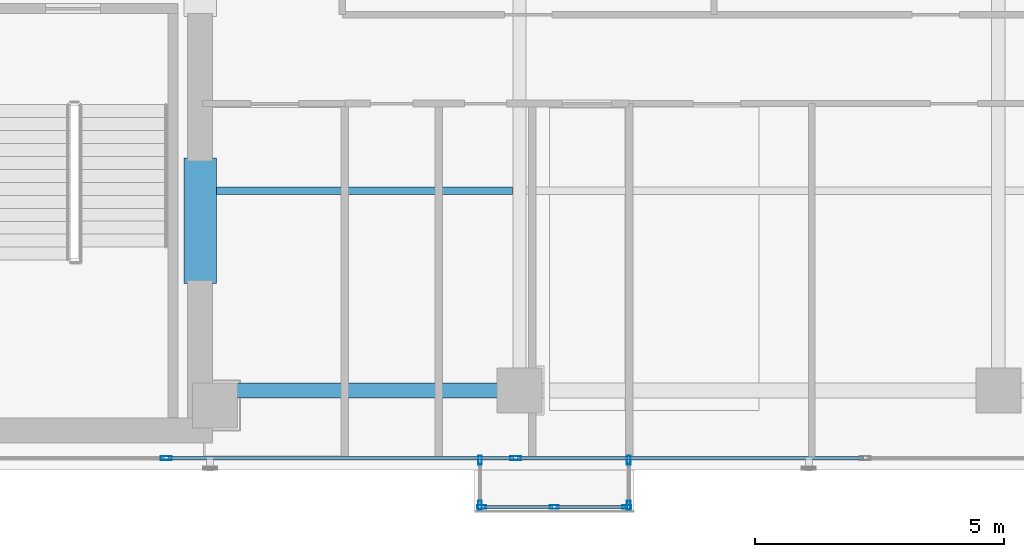
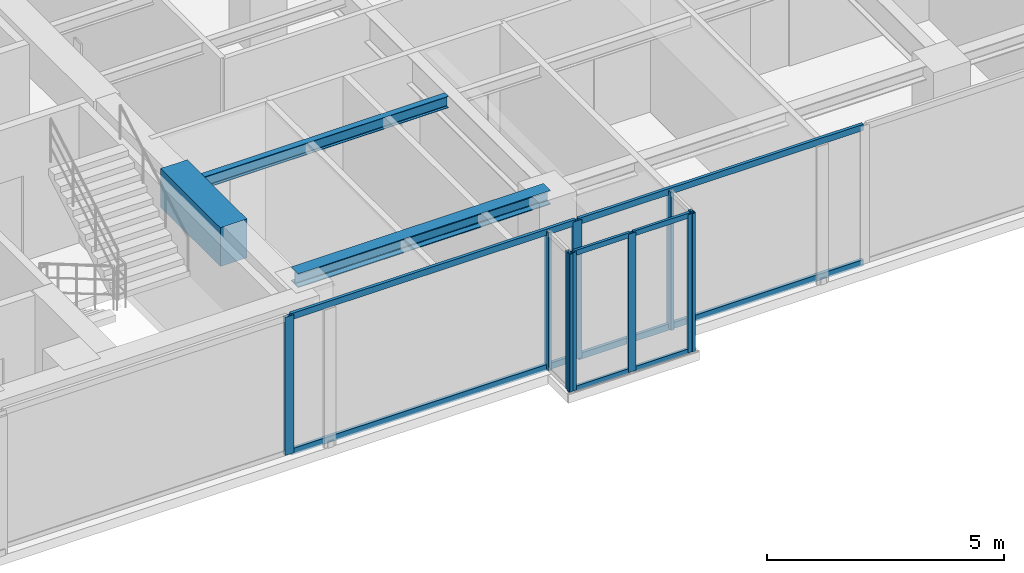
# One storey, part 4 of 22: 17 members, 3 beams, 4 elements without a shape of their own.
"""IFC4 building model written with IfcOpenShell, lengths in metres."""

from ifc_helpers import new_model, si_unit, direction, frame, origin, origin_with_axes, origin_2d, place, context, subcontext, project, spatial, rectangle, hollow_rectangle, i_section, extrude, source, transform, mapped, material, layer, layer_set, material_profile, profile_set, type_object, element, aggregate, save


model = new_model("IFC4")

# Units and contexts
model_context = context("Model", 3, precision=1e-05, world=origin(), true_north=direction((0.0, 1.0)))
body_context = subcontext(model_context, "Body", "Model", "MODEL_VIEW")
ifc_project = project(units=[si_unit("LENGTHUNIT", "METRE"), si_unit("AREAUNIT", "SQUARE_METRE"), si_unit("VOLUMEUNIT", "CUBIC_METRE"), si_unit("PLANEANGLEUNIT", "RADIAN"), si_unit("MASSUNIT", "GRAM", prefix="KILO")], contexts=[model_context])

# Site, building, storey
site_placement = place(None, origin())
site = spatial("IfcSite", under=ifc_project, at=site_placement, CompositionType="ELEMENT")
building_placement = place(site_placement, origin())
building = spatial("IfcBuilding", under=site, at=building_placement, Name="Kolvaren Waterfront Exchange", CompositionType="ELEMENT")
storey_placement = place(building_placement, frame((0.0, 0.0, 278.0)))
storey = spatial("IfcBuildingStorey", under=building, at=storey_placement, Name="L71", CompositionType="ELEMENT", Elevation=278.0)

# Beams
ifc_material_1 = material(Name="Steel S355", Category="steel")
ifc_material_profile_1 = material_profile(ifc_material_1, i_section(OverallWidth=0.300048828125, OverallDepth=0.360107421875, WebThickness=0.012451171875, FlangeThickness=0.0224609375, FilletRadius=0.027099609375, at=origin_2d()), Name="HEB360")
ifc_profile_set_1 = profile_set([ifc_material_profile_1], Name="Steel S355")
beam_type_1 = type_object("IfcBeamType", Name="STR-BM-HEB360", PredefinedType="SPANDREL", material=ifc_profile_set_1)
beam_1_placement = place(storey_placement, frame((21.050048828125, 5.199951171875, 3.3798828125), z_axis=(1.0, 0.0, 0.0), x_axis=(0.0, 1.0, 0.0)))
element("IfcBeam", 1, at=beam_1_placement, inside=storey, type_object=beam_type_1, Name="L71 east-arm spandrel S1", PredefinedType="SPANDREL", context=body_context, shape_type="SweptSolid", body=[
    extrude(i_section(OverallWidth=0.300048828125, OverallDepth=0.360107421875, WebThickness=0.012451171875, FlangeThickness=0.0224609375, FilletRadius=0.027099609375, at=origin_2d()), origin(), (0.0, 0.0, 1.0), 6.14990234375),
])
ifc_material_profile_2 = material_profile(ifc_material_1, i_section(OverallWidth=0.14990234375, OverallDepth=0.300048828125, WebThickness=0.007080078125, FlangeThickness=0.0107421875, FilletRadius=0.014892578125, at=origin_2d()), Name="IPE300")
ifc_profile_set_2 = profile_set([ifc_material_profile_2], Name="Steel S355")
beam_type_2 = type_object("IfcBeamType", Name="STR-BM-IPE300", PredefinedType="JOIST", material=ifc_profile_set_2)
beam_2_placement = place(storey_placement, frame((21.10009765625, 9.199951171875, 3.409912109375), z_axis=(1.0, 0.0, 0.0), x_axis=(0.0, 1.0, 0.0)))
element("IfcBeam", 2, at=beam_2_placement, inside=storey, type_object=beam_type_2, Name="L71 east-arm composite joist 1B", PredefinedType="JOIST", context=body_context, shape_type="SweptSolid", body=[
    extrude(i_section(OverallWidth=0.14990234375, OverallDepth=0.300048828125, WebThickness=0.007080078125, FlangeThickness=0.0107421875, FilletRadius=0.014892578125, at=origin_2d()), origin(), (0.0, 0.0, 1.0), 5.96435546875),
])
ifc_material_2 = material(Name="Concrete C60/75", Category="concrete")
ifc_material_profile_3 = material_profile(ifc_material_2, rectangle(XDim=0.64990234375, YDim=1.0, at=origin_2d()), Name="RC-CB-1000x650")
ifc_profile_set_3 = profile_set([ifc_material_profile_3], Name="Concrete C60/75")
beam_type_3 = type_object("IfcBeamType", Name="STR-CB-1000", PredefinedType="SPANDREL", material=ifc_profile_set_3)
beam_3_placement = place(storey_placement, frame((20.800048828125, 7.340087890625, 3.06005859375), z_axis=(0.0, 1.0, 0.0), x_axis=(-1.0, 0.0, 0.0)))
element("IfcBeam", 3, at=beam_3_placement, inside=storey, type_object=beam_type_3, Name="L71 core coupling beam 1", PredefinedType="SPANDREL", context=body_context, shape_type="SweptSolid", body=[
    extrude(rectangle(XDim=0.64990234375, YDim=1.0, at=origin_2d()), origin(), (0.0, 0.0, 1.0), 2.52001953125),
])

# Curtain wall, members
ifc_material_3 = material(Name="Anodised bronze aluminium 6063-T6", Category="aluminium")
ifc_layer_1 = layer(ifc_material_3, 0.219970703125, Name="Anodised bronze aluminium 6063-T6")
ifc_layer_set_1 = layer_set([ifc_layer_1], Name="Anodised bronze aluminium 6063-T6")
curtain_wall_type_1 = type_object("IfcCurtainWallType", Name="ARC-CW-SYS3", PredefinedType="USERDEFINED", material=ifc_layer_set_1)
curtain_wall_1_placement = place(storey_placement, origin())
curtain_wall_1 = element("IfcCurtainWall", 4, at=curtain_wall_1_placement, inside=storey, type_object=curtain_wall_type_1, Name="L71 stick curtain wall CW3 (CW-L71-BOX)", ObjectType="STICK CURTAIN WALL", PredefinedType="USERDEFINED")
ifc_material_profile_4 = material_profile(ifc_material_3, hollow_rectangle(XDim=0.06494140625, YDim=0.1298828125, WallThickness=0.00390625, at=origin_2d()), Name="ALU-TRN-130x65x4")
ifc_profile_set_4 = profile_set([ifc_material_profile_4], Name="Anodised bronze aluminium 6063-T6")
member_type_1 = type_object("IfcMemberType", Name="ARC-CWT-130", PredefinedType="USERDEFINED", material=ifc_profile_set_4)
shared_shape_1 = source(origin_with_axes(), body_context, "Body", "SweptSolid", [
    extrude(hollow_rectangle(XDim=0.06494140625, YDim=0.1298828125, WallThickness=0.00390625, at=origin_2d()), origin(), (0.0, 0.0, 1.0), 1.37744140625),
])
member_1_placement = place(storey_placement, frame((26.485107421875, 2.860107421875, 0.032470703125), z_axis=(1.0, 0.0, 0.0), x_axis=(0.0, 1.0, 0.0)))
member_1 = element("IfcMember", 5, at=member_1_placement, type_object=member_type_1, Name="CW3 transom 1.1", ObjectType="TRANSOM", PredefinedType="USERDEFINED", context=body_context, shape_type="MappedRepresentation", body=[
    mapped(shared_shape_1, transform((0.0, 0.0, 0.0), x_axis=(1.0, 0.0, 0.0), y_axis=(0.0, 1.0, 0.0), z_axis=(0.0, 0.0, 1.0), scale=1.0)),
])
member_2_placement = place(storey_placement, frame((26.485107421875, 2.860107421875, 3.527587890625), z_axis=(1.0, 0.0, 0.0), x_axis=(0.0, 1.0, 0.0)))
member_2 = element("IfcMember", 6, at=member_2_placement, type_object=member_type_1, Name="CW3 transom 1.2", ObjectType="TRANSOM", PredefinedType="USERDEFINED", context=body_context, shape_type="MappedRepresentation", body=[
    mapped(shared_shape_1, transform((0.0, 0.0, 0.0), x_axis=(1.0, 0.0, 0.0), y_axis=(0.0, 1.0, 0.0), z_axis=(0.0, 0.0, 1.0), scale=1.0)),
])
member_3_placement = place(storey_placement, frame((27.9375, 2.860107421875, 0.032470703125), z_axis=(1.0, 0.0, 0.0), x_axis=(0.0, 1.0, 0.0)))
member_3 = element("IfcMember", 7, at=member_3_placement, type_object=member_type_1, Name="CW3 transom 2.1", ObjectType="TRANSOM", PredefinedType="USERDEFINED", context=body_context, shape_type="MappedRepresentation", body=[
    mapped(shared_shape_1, transform((0.0, 0.0, 0.0), x_axis=(1.0, 0.0, 0.0), y_axis=(0.0, 1.0, 0.0), z_axis=(0.0, 0.0, 1.0), scale=1.0)),
])
member_4_placement = place(storey_placement, frame((27.9375, 2.860107421875, 3.527587890625), z_axis=(1.0, 0.0, 0.0), x_axis=(0.0, 1.0, 0.0)))
member_4 = element("IfcMember", 8, at=member_4_placement, type_object=member_type_1, Name="CW3 transom 2.2", ObjectType="TRANSOM", PredefinedType="USERDEFINED", context=body_context, shape_type="MappedRepresentation", body=[
    mapped(shared_shape_1, transform((0.0, 0.0, 0.0), x_axis=(1.0, 0.0, 0.0), y_axis=(0.0, 1.0, 0.0), z_axis=(0.0, 0.0, 1.0), scale=1.0)),
])

curtain_wall_2_placement = place(storey_placement, origin())
curtain_wall_2 = element("IfcCurtainWall", 9, at=curtain_wall_2_placement, inside=storey, type_object=curtain_wall_type_1, Name="L71 stick curtain wall CW3 (CW-L71-BOX-W)", ObjectType="STICK CURTAIN WALL", PredefinedType="USERDEFINED")
ifc_material_profile_5 = material_profile(ifc_material_3, hollow_rectangle(XDim=0.074951171875, YDim=0.179931640625, WallThickness=0.00439453125, at=origin_2d()), Name="ALU-MUL-180x75x4.5")
ifc_profile_set_5 = profile_set([ifc_material_profile_5], Name="Anodised bronze aluminium 6063-T6")
member_type_2 = type_object("IfcMemberType", Name="ARC-CWM-180", PredefinedType="MULLION", material=ifc_profile_set_5)
shared_shape_2 = source(origin_with_axes(), body_context, "Body", "SweptSolid", [
    extrude(hollow_rectangle(XDim=0.074951171875, YDim=0.179931640625, WallThickness=0.00439453125, at=origin_2d()), origin(), (0.0, 0.0, 1.0), 3.56005859375),
])
member_5_placement = place(storey_placement, frame((26.409912109375, 3.802490234375, 0.0), z_axis=(0.0, 0.0, 1.0), x_axis=(1.0, 0.0, 0.0)))
member_5 = element("IfcMember", 10, at=member_5_placement, type_object=member_type_2, Name="CW3 mullion 1", PredefinedType="MULLION", context=body_context, shape_type="MappedRepresentation", body=[
    mapped(shared_shape_2, transform((0.0, 0.0, 0.0), x_axis=(1.0, 0.0, 0.0), y_axis=(0.0, 1.0, 0.0), z_axis=(0.0, 0.0, 1.0), scale=1.0)),
])
member_6_placement = place(storey_placement, frame((26.409912109375, 2.8974609375, 0.0), z_axis=(0.0, 0.0, 1.0), x_axis=(1.0, 0.0, 0.0)))
member_6 = element("IfcMember", 11, at=member_6_placement, type_object=member_type_2, Name="CW3 mullion 2", PredefinedType="MULLION", context=body_context, shape_type="MappedRepresentation", body=[
    mapped(shared_shape_2, transform((0.0, 0.0, 0.0), x_axis=(1.0, 0.0, 0.0), y_axis=(0.0, 1.0, 0.0), z_axis=(0.0, 0.0, 1.0), scale=1.0)),
])
aggregate(curtain_wall_2, [member_5, member_6])

# Member
member_7_placement = place(storey_placement, frame((26.447509765625, 2.860107421875, 0.0), z_axis=(0.0, 0.0, 1.0), x_axis=(0.0, 1.0, 0.0)))
member_7 = element("IfcMember", 12, at=member_7_placement, type_object=member_type_2, Name="CW3 mullion 1", PredefinedType="MULLION", context=body_context, shape_type="MappedRepresentation", body=[
    mapped(shared_shape_2, transform((0.0, 0.0, 0.0), x_axis=(1.0, 0.0, 0.0), y_axis=(0.0, 1.0, 0.0), z_axis=(0.0, 0.0, 1.0), scale=1.0)),
])

member_8_placement = place(storey_placement, frame((27.89990234375, 2.860107421875, 0.0), z_axis=(0.0, 0.0, 1.0), x_axis=(0.0, 1.0, 0.0)))
member_8 = element("IfcMember", 13, at=member_8_placement, type_object=member_type_2, Name="CW3 mullion 2", PredefinedType="MULLION", context=body_context, shape_type="MappedRepresentation", body=[
    mapped(shared_shape_2, transform((0.0, 0.0, 0.0), x_axis=(1.0, 0.0, 0.0), y_axis=(0.0, 1.0, 0.0), z_axis=(0.0, 0.0, 1.0), scale=1.0)),
])

member_9_placement = place(storey_placement, frame((29.3525390625, 2.860107421875, 0.0), z_axis=(0.0, 0.0, 1.0), x_axis=(0.0, 1.0, 0.0)))
member_9 = element("IfcMember", 14, at=member_9_placement, type_object=member_type_2, Name="CW3 mullion 3", PredefinedType="MULLION", context=body_context, shape_type="MappedRepresentation", body=[
    mapped(shared_shape_2, transform((0.0, 0.0, 0.0), x_axis=(1.0, 0.0, 0.0), y_axis=(0.0, 1.0, 0.0), z_axis=(0.0, 0.0, 1.0), scale=1.0)),
])

aggregate(curtain_wall_1, [member_7, member_8, member_9, member_1, member_2, member_3, member_4])

# Curtain wall, members
curtain_wall_3_placement = place(storey_placement, origin())
curtain_wall_3 = element("IfcCurtainWall", 15, at=curtain_wall_3_placement, inside=storey, type_object=curtain_wall_type_1, Name="L71 stick curtain wall CW3 (CW-L71-BOX-E)", ObjectType="STICK CURTAIN WALL", PredefinedType="USERDEFINED")
member_10_placement = place(storey_placement, frame((29.389892578125, 2.8974609375, 0.0), z_axis=(0.0, 0.0, 1.0), x_axis=(-1.0, 0.0, 0.0)))
member_10 = element("IfcMember", 16, at=member_10_placement, type_object=member_type_2, Name="CW3 mullion 1", PredefinedType="MULLION", context=body_context, shape_type="MappedRepresentation", body=[
    mapped(shared_shape_2, transform((0.0, 0.0, 0.0), x_axis=(1.0, 0.0, 0.0), y_axis=(0.0, 1.0, 0.0), z_axis=(0.0, 0.0, 1.0), scale=1.0)),
])
member_11_placement = place(storey_placement, frame((29.389892578125, 3.802490234375, 0.0), z_axis=(0.0, 0.0, 1.0), x_axis=(-1.0, 0.0, 0.0)))
member_11 = element("IfcMember", 17, at=member_11_placement, type_object=member_type_2, Name="CW3 mullion 2", PredefinedType="MULLION", context=body_context, shape_type="MappedRepresentation", body=[
    mapped(shared_shape_2, transform((0.0, 0.0, 0.0), x_axis=(1.0, 0.0, 0.0), y_axis=(0.0, 1.0, 0.0), z_axis=(0.0, 0.0, 1.0), scale=1.0)),
])
aggregate(curtain_wall_3, [member_10, member_11])

ifc_layer_2 = layer(ifc_material_3, 0.219970703125, Name="Anodised bronze aluminium 6063-T6")
ifc_layer_set_2 = layer_set([ifc_layer_2], Name="Anodised bronze aluminium 6063-T6")
curtain_wall_type_2 = type_object("IfcCurtainWallType", Name="ARC-CW-SYS1", PredefinedType="USERDEFINED", material=ifc_layer_set_2)
curtain_wall_4_placement = place(storey_placement, origin())
curtain_wall_4 = element("IfcCurtainWall", 18, at=curtain_wall_4_placement, inside=storey, type_object=curtain_wall_type_2, Name="L71 stick curtain wall CW1 (CW-L71-S)", ObjectType="STICK CURTAIN WALL", PredefinedType="USERDEFINED")
ifc_material_4 = material(Name="Anodised aluminium 6063-T6", Category="aluminium")
ifc_material_profile_6 = material_profile(ifc_material_4, hollow_rectangle(XDim=0.080078125, YDim=0.219970703125, WallThickness=0.0048828125, at=origin_2d()), Name="ALU-MUL-220x80x5")
ifc_profile_set_6 = profile_set([ifc_material_profile_6], Name="Anodised aluminium 6063-T6")
member_type_3 = type_object("IfcMemberType", Name="ARC-CWM-220", PredefinedType="MULLION", material=ifc_profile_set_6)
shared_shape_3 = source(origin_with_axes(), body_context, "Body", "SweptSolid", [
    extrude(hollow_rectangle(XDim=0.080078125, YDim=0.219970703125, WallThickness=0.0048828125, at=origin_2d()), origin(), (0.0, 0.0, 1.0), 3.56005859375),
])
member_12_placement = place(storey_placement, frame((20.117431640625, 3.840087890625, 0.0), z_axis=(0.0, 0.0, 1.0), x_axis=(0.0, 1.0, 0.0)))
member_12 = element("IfcMember", 19, at=member_12_placement, type_object=member_type_3, Name="CW1 mullion 3", PredefinedType="MULLION", context=body_context, shape_type="MappedRepresentation", body=[
    mapped(shared_shape_3, transform((0.0, 0.0, 0.0), x_axis=(1.0, 0.0, 0.0), y_axis=(0.0, 1.0, 0.0), z_axis=(0.0, 0.0, 1.0), scale=1.0)),
])
member_13_placement = place(storey_placement, frame((27.126220703125, 3.840087890625, 0.0), z_axis=(0.0, 0.0, 1.0), x_axis=(0.0, 1.0, 0.0)))
member_13 = element("IfcMember", 20, at=member_13_placement, type_object=member_type_3, Name="CW1 mullion 4", PredefinedType="MULLION", context=body_context, shape_type="MappedRepresentation", body=[
    mapped(shared_shape_3, transform((0.0, 0.0, 0.0), x_axis=(1.0, 0.0, 0.0), y_axis=(0.0, 1.0, 0.0), z_axis=(0.0, 0.0, 1.0), scale=1.0)),
])
ifc_material_profile_7 = material_profile(ifc_material_4, hollow_rectangle(XDim=0.074951171875, YDim=0.159912109375, WallThickness=0.00439453125, at=origin_2d()), Name="ALU-TRN-160x75x4.5")
ifc_profile_set_7 = profile_set([ifc_material_profile_7], Name="Anodised aluminium 6063-T6")
member_type_4 = type_object("IfcMemberType", Name="ARC-CWT-160", PredefinedType="USERDEFINED", material=ifc_profile_set_7)
shared_shape_4 = source(origin_with_axes(), body_context, "Body", "SweptSolid", [
    extrude(hollow_rectangle(XDim=0.074951171875, YDim=0.159912109375, WallThickness=0.00439453125, at=origin_2d()), origin(), (0.0, 0.0, 1.0), 6.9287109375),
])
member_14_placement = place(storey_placement, frame((20.157470703125, 3.840087890625, 0.03759765625), z_axis=(1.0, 0.0, 0.0), x_axis=(0.0, 1.0, 0.0)))
member_14 = element("IfcMember", 21, at=member_14_placement, type_object=member_type_4, Name="CW1 transom 3.1", ObjectType="TRANSOM", PredefinedType="USERDEFINED", context=body_context, shape_type="MappedRepresentation", body=[
    mapped(shared_shape_4, transform((0.0, 0.0, 0.0), x_axis=(1.0, 0.0, 0.0), y_axis=(0.0, 1.0, 0.0), z_axis=(0.0, 0.0, 1.0), scale=1.0)),
])
member_15_placement = place(storey_placement, frame((20.157470703125, 3.840087890625, 3.5224609375), z_axis=(1.0, 0.0, 0.0), x_axis=(0.0, 1.0, 0.0)))
member_15 = element("IfcMember", 22, at=member_15_placement, type_object=member_type_4, Name="CW1 transom 3.2", ObjectType="TRANSOM", PredefinedType="USERDEFINED", context=body_context, shape_type="MappedRepresentation", body=[
    mapped(shared_shape_4, transform((0.0, 0.0, 0.0), x_axis=(1.0, 0.0, 0.0), y_axis=(0.0, 1.0, 0.0), z_axis=(0.0, 0.0, 1.0), scale=1.0)),
])
member_16_placement = place(storey_placement, frame((27.166259765625, 3.840087890625, 0.03759765625), z_axis=(1.0, 0.0, 0.0), x_axis=(0.0, 1.0, 0.0)))
member_16 = element("IfcMember", 23, at=member_16_placement, type_object=member_type_4, Name="CW1 transom 4.1", ObjectType="TRANSOM", PredefinedType="USERDEFINED", context=body_context, shape_type="MappedRepresentation", body=[
    mapped(shared_shape_4, transform((0.0, 0.0, 0.0), x_axis=(1.0, 0.0, 0.0), y_axis=(0.0, 1.0, 0.0), z_axis=(0.0, 0.0, 1.0), scale=1.0)),
])
member_17_placement = place(storey_placement, frame((27.166259765625, 3.840087890625, 3.5224609375), z_axis=(1.0, 0.0, 0.0), x_axis=(0.0, 1.0, 0.0)))
member_17 = element("IfcMember", 24, at=member_17_placement, type_object=member_type_4, Name="CW1 transom 4.2", ObjectType="TRANSOM", PredefinedType="USERDEFINED", context=body_context, shape_type="MappedRepresentation", body=[
    mapped(shared_shape_4, transform((0.0, 0.0, 0.0), x_axis=(1.0, 0.0, 0.0), y_axis=(0.0, 1.0, 0.0), z_axis=(0.0, 0.0, 1.0), scale=1.0)),
])
aggregate(curtain_wall_4, [member_12, member_13, member_14, member_15, member_16, member_17])

save(model, "model.ifc")
